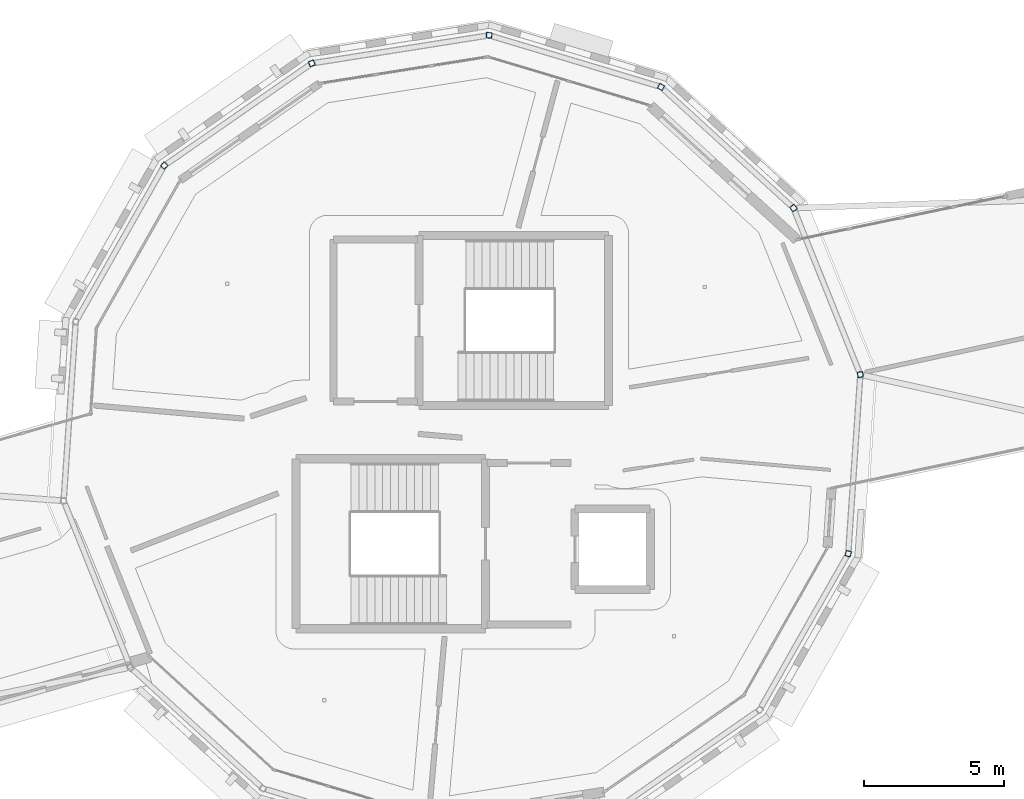
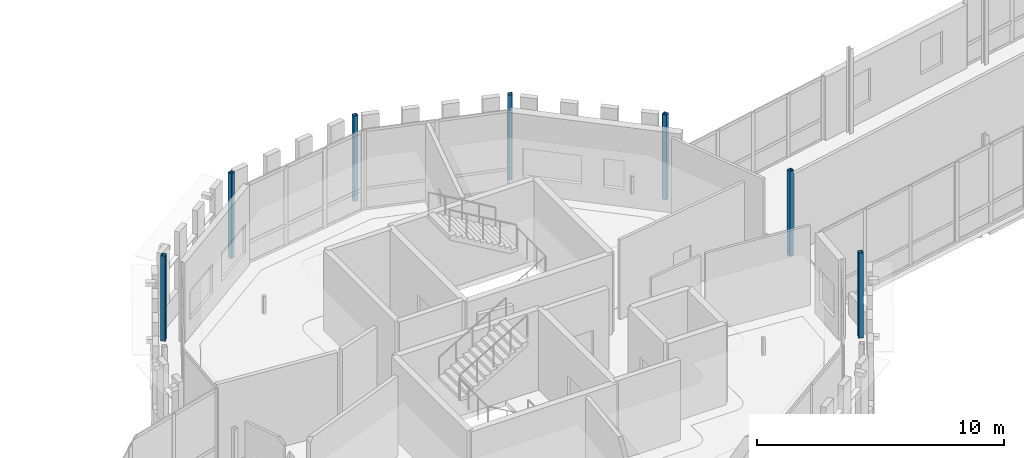
# One storey, part 16 of 125: 7 columns.
"""IFC4 building model written with IfcOpenShell, lengths in metres."""

from ifc_helpers import new_model, si_unit, direction, frame, origin, origin_2d, place, context, subcontext, project, spatial, hollow_rectangle, extrude, material, material_profile, profile_set, type_object, element, save


model = new_model("IFC4")

# Units and contexts
model_context = context("Model", 3, precision=1e-05, world=origin(), true_north=direction((0.0, 1.0)))
body_context = subcontext(model_context, "Body", "Model", "MODEL_VIEW")
ifc_project = project(units=[si_unit("LENGTHUNIT", "METRE"), si_unit("AREAUNIT", "SQUARE_METRE"), si_unit("VOLUMEUNIT", "CUBIC_METRE"), si_unit("PLANEANGLEUNIT", "RADIAN"), si_unit("MASSUNIT", "GRAM", prefix="KILO")], contexts=[model_context])

# Site, building, storey
site_placement = place(None, origin())
site = spatial("IfcSite", under=ifc_project, at=site_placement, CompositionType="ELEMENT")
building_placement = place(site_placement, origin())
building = spatial("IfcBuilding", under=site, at=building_placement, Name="Wrenclough Park School", CompositionType="ELEMENT")
storey_placement = place(building_placement, frame((0.0, 0.0, 4.199951171875)))
storey = spatial("IfcBuildingStorey", under=building, at=storey_placement, Name="L01", CompositionType="ELEMENT", Elevation=4.199951171875)

# Columns
ifc_material = material(Name="Structural steel S355", Category="steel")
ifc_material_profile = material_profile(ifc_material, hollow_rectangle(XDim=0.199951171875, YDim=0.199951171875, WallThickness=0.012451171875, InnerFilletRadius=0.012451171875, OuterFilletRadius=0.018798828125, at=origin_2d()), Name="SHS 200x200x12.5")
ifc_profile_set = profile_set([ifc_material_profile], Name="Structural steel S355")
column_type = type_object("IfcColumnType", Name="STR-COL-SHS200", PredefinedType="COLUMN", material=ifc_profile_set)
for number, where, z_axis, x_axis, name in (
    (1, (97.272216796875, 110.760498046875, 0.0), (0.0, 0.0, 1.0), (-0.15643446504, 0.987688340595, 0.0), "D4 L01 column D4-OUT-01"),
    (2, (94.8779296875, 116.72900390625, 0.0), (0.0, 0.0, 1.0), (-0.569423005964, 0.822044670489, 0.0), "D4 L01 column D4-OUT-02"),
    (3, (90.131103515625, 121.06787109375, 0.0), (0.0, 0.0, 1.0), (-0.869753437661, 0.493486532416, 0.0), "D4 L01 column D4-OUT-03"),
    (4, (83.971923828125, 122.917236328125, 0.0), (0.0, 0.0, 1.0), (-0.997731519333, 0.067318759124, 0.0), "D4 L01 column D4-OUT-04"),
    (5, (77.620361328125, 121.911376953125, 0.0), (0.0, 0.0, 1.0), (-0.928096422365, -0.372339939832, 0.0), "D4 L01 column D4-OUT-05"),
    (6, (72.334228515625, 118.2490234375, 0.0), (0.0, 0.0, 1.0), (-0.674688949446, -0.738102175512, 0.0), "D4 L01 column D4-OUT-06"),
    (7, (96.839599609375, 104.34423828125, 0.0), (0.0, 0.0, 1.0), (0.287527687034, 0.957772326385, 0.0), "D4 L01 column D4-OUT-14"),
):
    element("IfcColumn", number, at=place(storey_placement, frame(where, z_axis=z_axis, x_axis=x_axis)), inside=storey, type_object=column_type, Name=name, PredefinedType="COLUMN", context=body_context, shape_type="SweptSolid", body=[
        extrude(hollow_rectangle(XDim=0.199951171875, YDim=0.199951171875, WallThickness=0.012451171875, InnerFilletRadius=0.012451171875, OuterFilletRadius=0.018798828125, at=origin_2d()), origin(), (0.0, 0.0, 1.0), 4.199951171875),
    ])

save(model, "model.ifc")
